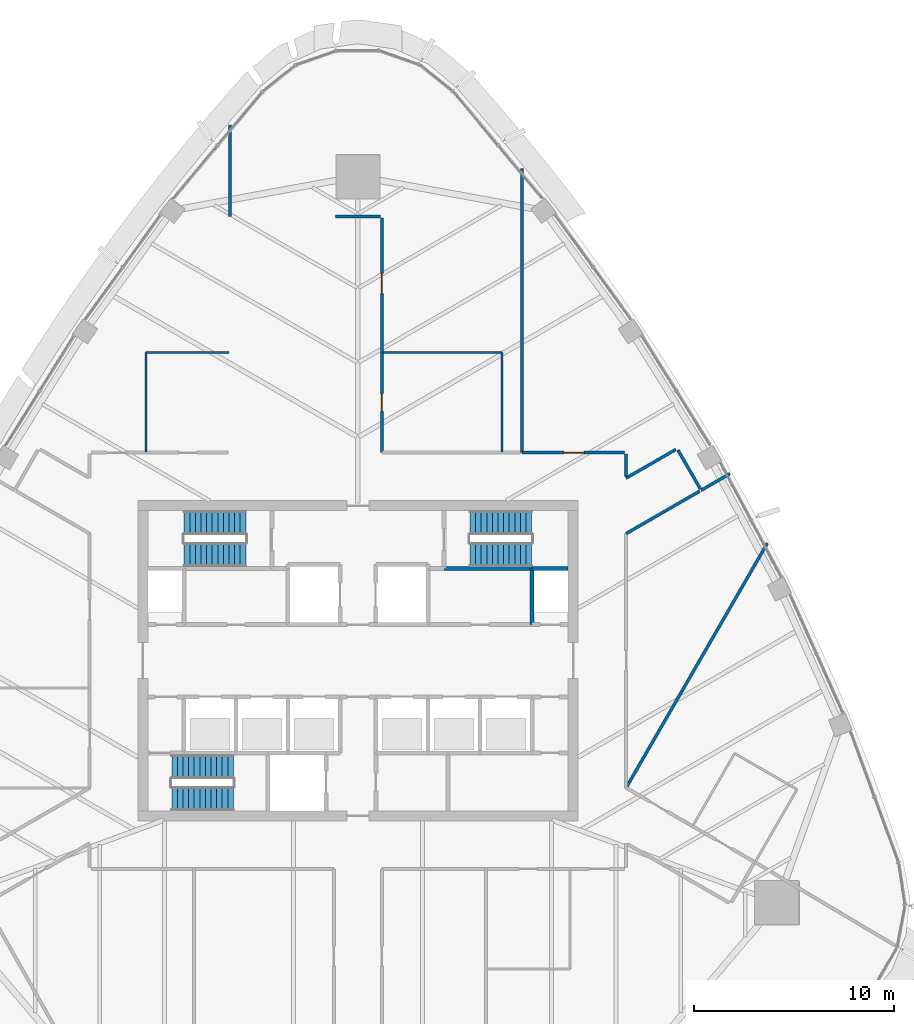
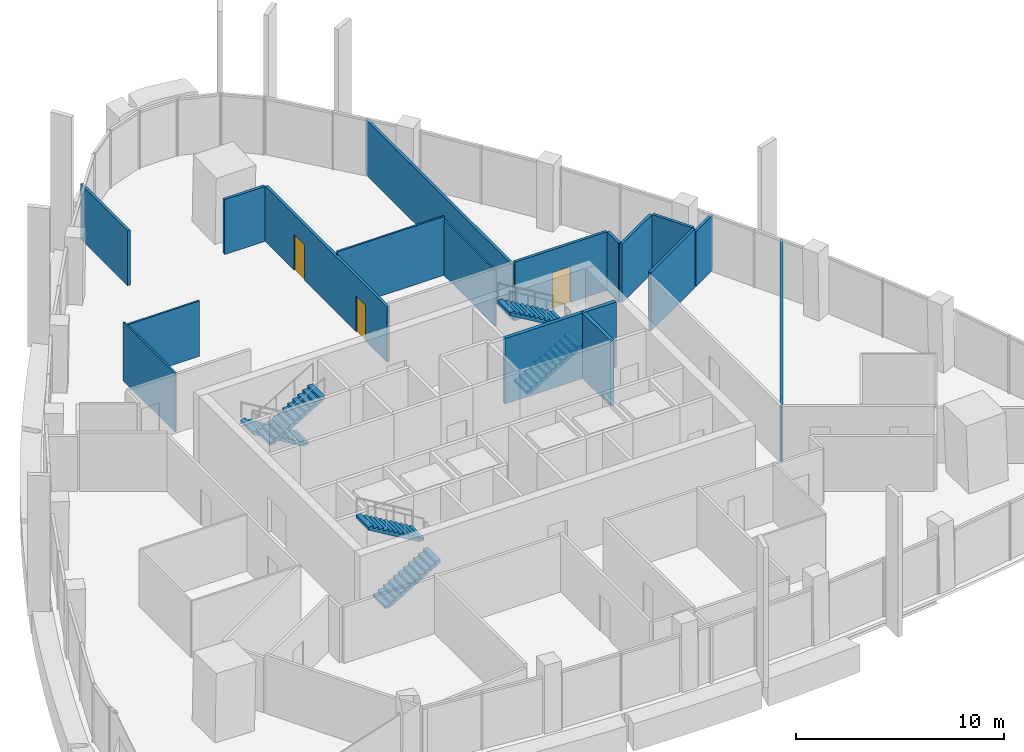
# One storey, part 11 of 18: 18 walls, 6 stair flights, 3 doors, 3 openings, 3 elements without a shape of their own.
"""IFC4 building model written with IfcOpenShell, lengths in metres."""

import ifcopenshell
import ifcopenshell.guid

model = None  # the IFC model being written
_history = None  # IfcOwnerHistory: only IFC2X3 demands one
_inside = {}  # id of a spatial element -> (the spatial element, [elements in it])
_under = {}  # id of a project, library or spatial element -> (it, [spatial elements below it])
_declared = {}  # id of a project -> (the project, [libraries it declares])
_typed = {}  # id of a type object -> (the type object, [elements of that type])
_made_of = {}  # id of a material, layer set ... -> (it, [elements and type objects made of it])


def new_model(schema):
    """Start an empty IFC model of exactly this schema.

    Asked for "IFC4X3", IfcOpenShell would pick the latest addendum, in which some entities
    have other attributes; the version numbers below select the first issue.
    IFC2X3 requires an IfcOwnerHistory on every rooted entity: one is made here for all.
    """
    global model, _history
    if schema == "IFC4X3":
        model = ifcopenshell.file(schema_version=(4, 3, 0, 0))
    else:
        model = ifcopenshell.file(schema=schema)
    _inside.clear()
    _under.clear()
    _declared.clear()
    _typed.clear()
    _made_of.clear()
    _history = None
    if model.schema == "IFC2X3":
        org = make("IfcOrganization", Name="unknown")
        user = make(
            "IfcPersonAndOrganization",
            ThePerson=make("IfcPerson", FamilyName="unknown"),
            TheOrganization=org,
        )
        app = make(
            "IfcApplication",
            ApplicationDeveloper=org,
            Version="unknown",
            ApplicationFullName="unknown",
            ApplicationIdentifier="unknown",
        )
        _history = make(
            "IfcOwnerHistory",
            OwningUser=user,
            OwningApplication=app,
            ChangeAction="ADDED",
            CreationDate=0,
        )
    return model


def make(cls, **values):
    """One entity of the class cls with the attributes given. An attribute that is None is left unset."""
    return model.create_entity(
        cls, **{name: value for name, value in values.items() if value is not None}
    )


def rooted(cls, **values):
    """An entity with a GlobalId (a new one), such as an element, a storey or a relation."""
    return make(cls, GlobalId=ifcopenshell.guid.new(), OwnerHistory=_history, **values)


def si_unit(unit_type, name, prefix=None):
    """IfcSIUnit, for example si_unit("LENGTHUNIT", "METRE", prefix="MILLI")."""
    return make("IfcSIUnit", UnitType=unit_type, Prefix=prefix, Name=name)


def assignment(units):
    """IfcUnitAssignment: the units of a project."""
    return None if units is None else make("IfcUnitAssignment", Units=units)


def point(xyz):
    """IfcCartesianPoint."""
    return None if xyz is None else make("IfcCartesianPoint", Coordinates=xyz)


def direction(xyz):
    """IfcDirection."""
    return None if xyz is None else make("IfcDirection", DirectionRatios=xyz)


def frame(location, z_axis=None, x_axis=None):
    """IfcAxis2Placement3D, a coordinate frame: its origin and axes. An axis left out is left unset."""
    return make(
        "IfcAxis2Placement3D",
        Location=point(location),
        Axis=direction(z_axis),
        RefDirection=direction(x_axis),
    )


def frame_2d(location, x_axis=None):
    """IfcAxis2Placement2D, a coordinate frame in the plane: its origin and x axis."""
    return make(
        "IfcAxis2Placement2D", Location=point(location), RefDirection=direction(x_axis)
    )


def origin():
    """The frame at (0, 0, 0) with its axes left unset."""
    return frame((0.0, 0.0, 0.0))


def place(relative_to, where):
    """IfcLocalPlacement: puts the frame where relative to a parent placement (None: the world)."""
    return make(
        "IfcLocalPlacement", PlacementRelTo=relative_to, RelativePlacement=where
    )


def context(
    kind, dimensions, precision=None, world=None, true_north=None, identifier=None
):
    """IfcGeometricRepresentationContext, for example the 3D "Model" context."""
    return make(
        "IfcGeometricRepresentationContext",
        ContextIdentifier=identifier,
        ContextType=kind,
        CoordinateSpaceDimension=dimensions,
        Precision=precision,
        WorldCoordinateSystem=world,
        TrueNorth=true_north,
    )


def subcontext(parent, identifier, kind, view, scale=None):
    """IfcGeometricRepresentationSubContext, for example "Body" below "Model"."""
    return make(
        "IfcGeometricRepresentationSubContext",
        ContextIdentifier=identifier,
        ContextType=kind,
        ParentContext=parent,
        TargetScale=scale,
        TargetView=view,
    )


def project(units=None, contexts=None):
    """IfcProject with its units and contexts."""
    return rooted(
        "IfcProject",
        Name="project",
        RepresentationContexts=contexts,
        UnitsInContext=assignment(units),
    )


def spatial(cls, under=None, at=None, **own):
    """A site, building, storey or space (cls), placed at a placement, below another one or the project."""
    s = rooted(cls, ObjectPlacement=at, **own)
    if under is not None:
        _under.setdefault(under.id(), (under, []))[1].append(s)
    return s


def polyline(points):
    """IfcPolyline through the points."""
    return make("IfcPolyline", Points=[point(p) for p in points])


def profile(cls, at=None, kind="AREA", **sizes):
    """A parametric profile (cls). Its sizes go by their IFC names, for example OverallWidth=200.0."""
    return make(cls, ProfileType=kind, Position=at, **sizes)


def rectangle(**sizes):
    """IfcRectangleProfileDef."""
    return profile("IfcRectangleProfileDef", **sizes)


def outline(outer, holes=None, kind="AREA"):
    """IfcArbitraryClosedProfileDef: a profile drawn as a closed curve; with holes, ...WithVoids."""
    if holes is None:
        return make("IfcArbitraryClosedProfileDef", ProfileType=kind, OuterCurve=outer)
    return make(
        "IfcArbitraryProfileDefWithVoids",
        ProfileType=kind,
        OuterCurve=outer,
        InnerCurves=holes,
    )


def extrude(swept, where, along, depth):
    """IfcExtrudedAreaSolid: the profile swept, set in the frame where, extruded along a direction by depth."""
    return make(
        "IfcExtrudedAreaSolid",
        SweptArea=swept,
        Position=where,
        ExtrudedDirection=direction(along),
        Depth=depth,
    )


def shape(context_of_items, identifier, shape_type, items):
    """IfcShapeRepresentation: the items that make up one representation, for example the "Body"."""
    return make(
        "IfcShapeRepresentation",
        ContextOfItems=context_of_items,
        RepresentationIdentifier=identifier,
        RepresentationType=shape_type,
        Items=items,
    )


def material(Name=None, Category=None):
    """IfcMaterial."""
    return make("IfcMaterial", Name=Name, Category=Category)


def layer(
    of_material, thickness, ventilated=None, Name=None, Category=None, Priority=None
):
    """IfcMaterialLayer: one layer of a wall or slab, of a material (None: an air gap)."""
    return make(
        "IfcMaterialLayer",
        Material=of_material,
        LayerThickness=thickness,
        IsVentilated=ventilated,
        Name=Name,
        Category=Category,
        Priority=Priority,
    )


def layer_set(layers, Name=None):
    """IfcMaterialLayerSet."""
    return make("IfcMaterialLayerSet", MaterialLayers=layers, LayerSetName=Name)


def made_of(thing, what):
    """Note that an element or type object is made of a material, layer set ...; save() writes the relation."""
    if what is not None:
        _made_of.setdefault(what.id(), (what, []))[1].append(thing)
    return thing


def type_object(cls, material=None, **own):
    """A type object (cls), such as IfcWallType, which elements share."""
    return made_of(rooted(cls, **own), material)


def element(
    cls,
    number,
    at=None,
    inside=None,
    cuts=None,
    type_object=None,
    material=None,
    context=None,
    identifier="Body",
    shape_type=None,
    held_by="IfcProductDefinitionShape",
    body=None,
    shapes=None,
    **own,
):
    """One element of the class cls, such as IfcWall. Its Tag is "e" and its number.

    at: its placement. inside: the storey or other place that contains it. cuts: it is an
    opening in that element (IfcRelVoidsElement). A single representation is given by context,
    identifier, shape_type and body (its items); several are given by shapes. held_by: the class
    of the entity that holds the representations. save() writes the other relations.
    """
    e = rooted(cls, Tag="e%d" % number, ObjectPlacement=at, **own)
    if body is not None:
        shapes = [shape(context, identifier, shape_type, body)]
    if shapes is not None:
        e.Representation = make(held_by, Representations=shapes)
    if inside is not None:
        _inside.setdefault(inside.id(), (inside, []))[1].append(e)
    if cuts is not None:
        rooted(
            "IfcRelVoidsElement", RelatingBuildingElement=cuts, RelatedOpeningElement=e
        )
    if type_object is not None:
        _typed.setdefault(type_object.id(), (type_object, []))[1].append(e)
    return made_of(e, material)


def fill(opening, filler):
    """IfcRelFillsElement: the door or window that sits in an opening."""
    return rooted(
        "IfcRelFillsElement",
        RelatingOpeningElement=opening,
        RelatedBuildingElement=filler,
    )


def aggregate(whole, parts):
    """IfcRelAggregates: a whole, such as a stair, and the parts it consists of."""
    return rooted("IfcRelAggregates", RelatingObject=whole, RelatedObjects=parts)


def save(model, path):
    """Write the relations noted so far, then the file.

    IfcRelAggregates (storeys below a building ...), IfcRelContainedInSpatialStructure (elements
    in a storey), IfcRelDefinesByType, IfcRelAssociatesMaterial and IfcRelDeclares: one each for
    every whole, place, type object, material and project.
    """
    for whole, parts in _under.values():
        aggregate(whole, parts)
    for where, things in _inside.values():
        rooted(
            "IfcRelContainedInSpatialStructure",
            RelatedElements=things,
            RelatingStructure=where,
        )
    for kind, things in _typed.values():
        rooted("IfcRelDefinesByType", RelatedObjects=things, RelatingType=kind)
    for what, things in _made_of.values():
        rooted("IfcRelAssociatesMaterial", RelatedObjects=things, RelatingMaterial=what)
    for by, libraries in _declared.values():
        rooted("IfcRelDeclares", RelatingContext=by, RelatedDefinitions=libraries)
    model.write(path)


model = new_model("IFC4")

# Units and contexts
model_context = context("Model", 3, precision=1e-05, world=origin(), true_north=direction((0.0, 1.0)))
body_context = subcontext(model_context, "Body", "Model", "MODEL_VIEW")
ifc_project = project(units=[si_unit("LENGTHUNIT", "METRE"), si_unit("AREAUNIT", "SQUARE_METRE"), si_unit("VOLUMEUNIT", "CUBIC_METRE"), si_unit("PLANEANGLEUNIT", "RADIAN"), si_unit("MASSUNIT", "GRAM", prefix="KILO")], contexts=[model_context])

# Site, building, storey
site_placement = place(None, origin())
site = spatial("IfcSite", under=ifc_project, at=site_placement, CompositionType="ELEMENT")
building_placement = place(site_placement, origin())
building = spatial("IfcBuilding", under=site, at=building_placement, Name="Sierra Prisma Convention Tower", CompositionType="ELEMENT")
storey_placement = place(building_placement, frame((0.0, 0.0, 279.0)))
storey = spatial("IfcBuildingStorey", under=building, at=storey_placement, Name="L63", CompositionType="ELEMENT", Elevation=279.0)

# Walls
ifc_material_1 = material(Name="Gypsum board partition", Category="gypsum")
ifc_layer_1 = layer(ifc_material_1, 0.10009765625)
ifc_layer_set_1 = layer_set([ifc_layer_1], Name="Bathroom partition 100")
wall_type_1 = type_object("IfcWallType", Name="Bathroom partition 100", PredefinedType="PARTITIONING", material=ifc_layer_set_1)
wall_1_placement = place(storey_placement, frame((-10.60009765625, 10.429931640625, 0.0), z_axis=(0.0, 0.0, 1.0), x_axis=(0.0, 1.0, 0.0)))
element("IfcWall", 1, at=wall_1_placement, inside=storey, type_object=wall_type_1, Name="Partition L63 bath 4", PredefinedType="PARTITIONING", context=body_context, shape_type="SweptSolid", body=[
    extrude(rectangle(XDim=4.969970703125, YDim=0.10009765625, at=frame_2d((2.48486328125, 0.0))), origin(), (0.0, 0.0, 1.0), 3.449951171875),
])
wall_2_placement = place(storey_placement, frame((-10.60009765625, 15.39990234375, 0.0), z_axis=(0.0, 0.0, 1.0), x_axis=(1.0, 0.0, 0.0)))
element("IfcWall", 2, at=wall_2_placement, inside=storey, type_object=wall_type_1, Name="Partition L63 bath 5", PredefinedType="PARTITIONING", context=body_context, shape_type="SweptSolid", body=[
    extrude(rectangle(XDim=4.170166015625, YDim=0.10009765625, at=frame_2d((2.0849609375, 0.0))), origin(), (0.0, 0.0, 1.0), 3.2470703125),
])
wall_3_placement = place(storey_placement, frame((1.22998046875, 15.39990234375, 0.0), z_axis=(0.0, 0.0, 1.0), x_axis=(1.0, 0.0, 0.0)))
element("IfcWall", 3, at=wall_3_placement, inside=storey, type_object=wall_type_1, Name="Partition L63 bath 6", PredefinedType="PARTITIONING", context=body_context, shape_type="SweptSolid", body=[
    extrude(rectangle(XDim=5.969970703125, YDim=0.10009765625, at=frame_2d((2.98486328125, 0.0))), origin(), (0.0, 0.0, 1.0), 3.449951171875),
])
wall_4_placement = place(storey_placement, frame((7.199951171875, 15.39990234375, 0.0), z_axis=(0.0, 0.0, 1.0), x_axis=(0.0, -1.0, 0.0)))
element("IfcWall", 4, at=wall_4_placement, inside=storey, type_object=wall_type_1, Name="Partition L63 bath 7", PredefinedType="PARTITIONING", context=body_context, shape_type="SweptSolid", body=[
    extrude(rectangle(XDim=4.969970703125, YDim=0.10009765625, at=frame_2d((2.48486328125, 0.0))), origin(), (0.0, 0.0, 1.0), 3.2470703125),
])
ifc_material_2 = material(Name="Concrete C30/37", Category="concrete")
ifc_layer_2 = layer(ifc_material_2, 0.199951171875)
ifc_layer_set_2 = layer_set([ifc_layer_2], Name="Core wall RC 200 C30/37")
wall_type_2 = type_object("IfcWallType", Name="Core wall RC 200 C30/37", PredefinedType="SOLIDWALL", material=ifc_layer_set_2)
wall_5_placement = place(storey_placement, frame((8.699951171875, 4.60009765625, 0.0), z_axis=(0.0, 0.0, 1.0), x_axis=(-1.0, 0.0, 0.0)))
element("IfcWall", 5, at=wall_5_placement, inside=storey, type_object=wall_type_2, Name="Core wall L63 45", PredefinedType="SOLIDWALL", context=body_context, shape_type="SweptSolid", body=[
    extrude(rectangle(XDim=4.39990234375, YDim=0.199951171875, at=frame_2d((2.199951171875, 0.0))), origin(), (0.0, 0.0, 1.0), 3.85009765625),
])
wall_6_placement = place(storey_placement, frame((8.699951171875, 1.800048828125, 0.0), z_axis=(0.0, 0.0, 1.0), x_axis=(0.0, 1.0, 0.0)))
element("IfcWall", 6, at=wall_6_placement, inside=storey, type_object=wall_type_2, Name="Core wall L63 56", PredefinedType="SOLIDWALL", context=body_context, shape_type="SweptSolid", body=[
    extrude(rectangle(XDim=2.800048828125, YDim=0.199951171875, at=frame_2d((1.39990234375, 0.0))), origin(), (0.0, 0.0, 1.0), 3.85009765625),
])
wall_7_placement = place(storey_placement, frame((10.5, 4.60009765625, 0.0), z_axis=(0.0, 0.0, 1.0), x_axis=(-1.0, 0.0, 0.0)))
element("IfcWall", 7, at=wall_7_placement, inside=storey, type_object=wall_type_2, Name="Core wall L63 57", PredefinedType="SOLIDWALL", context=body_context, shape_type="SweptSolid", body=[
    extrude(rectangle(XDim=1.800048828125, YDim=0.199951171875, at=frame_2d((0.89990234375, 0.0))), origin(), (0.0, 0.0, 1.0), 3.85009765625),
])
ifc_material_3 = material(Name="Gypsum board partition", Category="gypsum")
ifc_layer_3 = layer(ifc_material_3, 0.14990234375)
ifc_layer_set_3 = layer_set([ifc_layer_3], Name="Corridor wall 150 gypsum EI 60")
wall_type_3 = type_object("IfcWallType", Name="Corridor wall 150 gypsum EI 60", PredefinedType="PARTITIONING", material=ifc_layer_set_3)
wall_8_placement = place(storey_placement, frame((1.1201171875, 22.197265625, 0.0), z_axis=(0.0, 0.0, 1.0), x_axis=(-1.0, 0.0, 0.0)))
element("IfcWall", 8, at=wall_8_placement, inside=storey, type_object=wall_type_3, Name="Partition L63 corr 14", PredefinedType="PARTITIONING", context=body_context, shape_type="SweptSolid", body=[
    extrude(rectangle(XDim=2.240234375, YDim=0.14990234375, at=frame_2d((1.1201171875, 0.0))), origin(), (0.0, 0.0, 1.0), 3.23291015625),
])

# Wall, openings, doors
wall_9_placement = place(storey_placement, frame((1.199951171875, 10.39990234375, 0.0), z_axis=(0.0, 0.0, 1.0), x_axis=(0.0, 1.0, 0.0)))
wall_9 = element("IfcWall", 9, at=wall_9_placement, inside=storey, type_object=wall_type_3, Name="Partition L63 corr 18", PredefinedType="PARTITIONING", context=body_context, shape_type="SweptSolid", body=[
    extrude(rectangle(XDim=11.71728515625, YDim=0.14990234375, at=frame_2d((5.858642578125, 0.0))), origin(), (0.0, 0.0, 1.0), 3.2470703125),
])
opening_1_placement = place(wall_9_placement, frame((2.050048828125, 0.0, 0.0)))
opening_1 = element("IfcOpeningElement", 10, at=opening_1_placement, cuts=wall_9, Name="Opening L63-D025", PredefinedType="OPENING", context=body_context, shape_type="SweptSolid", body=[
    extrude(rectangle(XDim=0.89990234375, YDim=2.10009765625, at=frame_2d((0.449951171875, 1.050048828125))), frame((0.0, 0.074951171875, 0.0), z_axis=(0.0, -1.0, 0.0), x_axis=(1.0, 0.0, 0.0)), (0.0, 0.0, 1.0), 0.14990234375),
])
opening_2_placement = place(wall_9_placement, frame((7.948486328125, 0.0, 0.0)))
opening_2 = element("IfcOpeningElement", 11, at=opening_2_placement, cuts=wall_9, Name="Opening L63-D026", PredefinedType="OPENING", context=body_context, shape_type="SweptSolid", body=[
    extrude(rectangle(XDim=1.0, YDim=2.10009765625, at=frame_2d((0.5, 1.050048828125))), frame((0.0, 0.074951171875, 0.0), z_axis=(0.0, -1.0, 0.0), x_axis=(1.0, 0.0, 0.0)), (0.0, 0.0, 1.0), 0.14990234375),
])
ifc_material_4 = material(Name="Steel fire door leaf", Category="steel")
door_type_1 = type_object("IfcDoorType", Name="Door 1000x2100 FD30S", OperationType="SINGLE_SWING_LEFT", PredefinedType="DOOR", material=ifc_material_4)
door_1_placement = place(opening_2_placement, origin())
door_1 = element("IfcDoor", 12, at=door_1_placement, inside=storey, type_object=door_type_1, Name="Door L63 4", OperationType="SINGLE_SWING_LEFT", OverallHeight=2.10009765625, OverallWidth=1.0, PredefinedType="DOOR", context=body_context, shape_type="SweptSolid", body=[
    extrude(rectangle(XDim=1.0, YDim=2.10009765625, at=frame_2d((0.5, 1.050048828125))), frame((0.0, 0.02490234375, 0.0), z_axis=(0.0, -1.0, 0.0), x_axis=(1.0, 0.0, 0.0)), (0.0, 0.0, 1.0), 0.050048828125),
])
fill(opening_2, door_1)
ifc_material_5 = material(Name="Steel fire door leaf", Category="steel")
door_type_2 = type_object("IfcDoorType", Name="Door 900x2100 FD30S", OperationType="SINGLE_SWING_LEFT", PredefinedType="DOOR", material=ifc_material_5)
door_2_placement = place(opening_1_placement, origin())
door_2 = element("IfcDoor", 13, at=door_2_placement, inside=storey, type_object=door_type_2, Name="Door L63 3", OperationType="SINGLE_SWING_LEFT", OverallHeight=2.10009765625, OverallWidth=0.89990234375, PredefinedType="DOOR", context=body_context, shape_type="SweptSolid", body=[
    extrude(rectangle(XDim=0.89990234375, YDim=2.10009765625, at=frame_2d((0.449951171875, 1.050048828125))), frame((0.0, 0.02490234375, 0.0), z_axis=(0.0, -1.0, 0.0), x_axis=(1.0, 0.0, 0.0)), (0.0, 0.0, 1.0), 0.050048828125),
])
fill(opening_1, door_2)

# Wall, opening, door
wall_10_placement = place(storey_placement, frame((13.320068359375, 10.39990234375, 0.0), z_axis=(0.0, 0.0, 1.0), x_axis=(-1.0, 0.0, 0.0)))
wall_10 = element("IfcWall", 14, at=wall_10_placement, inside=storey, type_object=wall_type_3, Name="Partition L63 corr 19", PredefinedType="PARTITIONING", context=body_context, shape_type="SweptSolid", body=[
    extrude(rectangle(XDim=5.1201171875, YDim=0.14990234375, at=frame_2d((2.56005859375, 0.0))), origin(), (0.0, 0.0, 1.0), 3.443115234375),
])
opening_3_placement = place(wall_10_placement, frame((2.02001953125, 0.0, 0.0)))
opening_3 = element("IfcOpeningElement", 15, at=opening_3_placement, cuts=wall_10, Name="Opening L63-D024", PredefinedType="OPENING", context=body_context, shape_type="SweptSolid", body=[
    extrude(rectangle(XDim=1.0, YDim=2.10009765625, at=frame_2d((0.5, 1.050048828125))), frame((0.0, 0.074951171875, 0.0), z_axis=(0.0, -1.0, 0.0), x_axis=(1.0, 0.0, 0.0)), (0.0, 0.0, 1.0), 0.14990234375),
])
door_3_placement = place(opening_3_placement, origin())
door_3 = element("IfcDoor", 16, at=door_3_placement, inside=storey, type_object=door_type_1, Name="Door L63 2", OperationType="SINGLE_SWING_LEFT", OverallHeight=2.10009765625, OverallWidth=1.0, PredefinedType="DOOR", context=body_context, shape_type="SweptSolid", body=[
    extrude(rectangle(XDim=1.0, YDim=2.10009765625, at=frame_2d((0.5, 1.050048828125))), frame((0.0, 0.02490234375, 0.0), z_axis=(0.0, -1.0, 0.0), x_axis=(1.0, 0.0, 0.0)), (0.0, 0.0, 1.0), 0.050048828125),
])
fill(opening_3, door_3)

# Walls
wall_11_placement = place(storey_placement, frame((13.39990234375, 6.350830078125, 0.0), z_axis=(0.0, 0.0, 1.0), x_axis=(0.866039217307, 0.499976073514, 0.0)))
element("IfcWall", 17, at=wall_11_placement, inside=storey, type_object=wall_type_3, Name="Partition L63 corr 23", PredefinedType="PARTITIONING", context=body_context, shape_type="SweptSolid", body=[
    extrude(rectangle(XDim=4.249755859375, YDim=0.14990234375, at=frame_2d((2.125, 0.0))), origin(), (0.0, 0.0, 1.0), 3.449951171875),
])
wall_12_placement = place(storey_placement, frame((15.88037109375, 10.55419921875, 0.0), z_axis=(0.0, 0.0, 1.0), x_axis=(-0.866020927947, -0.500007752297, 0.0)))
element("IfcWall", 18, at=wall_12_placement, inside=storey, type_object=wall_type_3, Name="Partition L63 corr 25", PredefinedType="PARTITIONING", context=body_context, shape_type="SweptSolid", body=[
    extrude(rectangle(XDim=2.8642578125, YDim=0.14990234375, at=frame_2d((1.43212890625, 0.0))), origin(), (0.0, 0.0, 1.0), 3.449951171875),
])
wall_13_placement = place(storey_placement, frame((13.39990234375, 9.213623046875, 0.0), z_axis=(0.0, 0.0, 1.0), x_axis=(0.0, 1.0, 0.0)))
element("IfcWall", 19, at=wall_13_placement, inside=storey, type_object=wall_type_3, Name="Partition L63 corr 26", PredefinedType="PARTITIONING", context=body_context, shape_type="SweptSolid", body=[
    extrude(rectangle(XDim=1.1064453125, YDim=0.14990234375, at=frame_2d((0.55322265625, 0.0))), origin(), (0.0, 0.0, 1.0), 3.449951171875),
])
wall_14_placement = place(storey_placement, frame((17.109619140625, 8.5849609375, 0.0), z_axis=(0.0, 0.0, 1.0), x_axis=(-0.49994888933, 0.866054910533, 0.0)))
element("IfcWall", 20, at=wall_14_placement, inside=storey, type_object=wall_type_3, Name="Partition L63 corr 27", PredefinedType="PARTITIONING", context=body_context, shape_type="SweptSolid", body=[
    extrude(rectangle(XDim=2.239990234375, YDim=0.14990234375, at=frame_2d((1.1201171875, 0.0))), origin(), (0.0, 0.0, 1.0), 3.449951171875),
])
ifc_material_6 = material(Name="Gypsum board partition", Category="gypsum")
ifc_layer_4 = layer(ifc_material_6, 0.14990234375)
ifc_layer_set_4 = layer_set([ifc_layer_4], Name="Party wall 150 gypsum")
wall_type_4 = type_object("IfcWallType", Name="Party wall 150 gypsum", PredefinedType="PARTITIONING", material=ifc_layer_set_4)
wall_15_placement = place(storey_placement, frame((-6.39990234375, 22.197265625, 0.0), z_axis=(0.0, 0.0, 1.0), x_axis=(0.0, 1.0, 0.0)))
element("IfcWall", 21, at=wall_15_placement, inside=storey, type_object=wall_type_4, Name="Partition L63 party 6", PredefinedType="PARTITIONING", context=body_context, shape_type="SweptSolid", body=[
    extrude(rectangle(XDim=4.56494140625, YDim=0.14990234375, at=frame_2d((2.282470703125, 0.0))), origin(), (0.0, 0.0, 1.0), 3.23388671875),
])
wall_16_placement = place(storey_placement, frame((8.199951171875, 10.39990234375, 0.0), z_axis=(0.0, 0.0, 1.0), x_axis=(0.0, 1.0, 0.0)))
element("IfcWall", 22, at=wall_16_placement, inside=storey, type_object=wall_type_4, Name="Partition L63 party 10", PredefinedType="PARTITIONING", context=body_context, shape_type="SweptSolid", body=[
    extrude(rectangle(XDim=14.202392578125, YDim=0.14990234375, at=frame_2d((7.10107421875, 0.0))), origin(), (0.0, 0.0, 1.0), 3.23388671875),
])
wall_17_placement = place(storey_placement, frame((20.4560546875, 5.87060546875, 0.0), z_axis=(0.0, 0.0, 1.0), x_axis=(-0.500005486798, -0.866022235957, 0.0)))
element("IfcWall", 23, at=wall_17_placement, inside=storey, type_object=wall_type_4, Name="Partition L63 party 11", PredefinedType="PARTITIONING", context=body_context, shape_type="SweptSolid", body=[
    extrude(rectangle(XDim=14.112060546875, YDim=0.14990234375, at=frame_2d((7.05615234375, 0.0))), origin(), (0.0, 0.0, 1.0), 3.23388671875),
])
wall_18_placement = place(storey_placement, frame((17.149658203125, 8.515625, 0.0), z_axis=(0.0, 0.0, 1.0), x_axis=(0.865984256307, 0.50007126275, 0.0)))
element("IfcWall", 24, at=wall_18_placement, inside=storey, type_object=wall_type_4, Name="Partition L63 party 12", PredefinedType="PARTITIONING", context=body_context, shape_type="SweptSolid", body=[
    extrude(rectangle(XDim=1.656005859375, YDim=0.14990234375, at=frame_2d((0.828125, 0.0))), origin(), (0.0, 0.0, 1.0), 3.23388671875),
])

# Stair, stair flights
ifc_material_7 = material(Name="Concrete C30/37", Category="concrete")
stair_type = type_object("IfcStairType", Name="Stair dog-leg 1200 RC", PredefinedType="HALF_TURN_STAIR", material=ifc_material_7)
stair_1_placement = place(storey_placement, origin())
stair_1 = element("IfcStair", 25, at=stair_1_placement, inside=storey, type_object=stair_type, Name="L63 S1", PredefinedType="HALF_TURN_STAIR")
ifc_material_8 = material(Name="Concrete C30/37", Category="concrete")
stair_flight_type = type_object("IfcStairFlightType", Name="Stair flight RC 1200", PredefinedType="STRAIGHT", material=ifc_material_8)
stair_flight_1_placement = place(storey_placement, frame((-9.300048828125, -6.89990234375, 0.0), z_axis=(0.0, 0.0, 1.0), x_axis=(1.0, 0.0, 0.0)))
stair_flight_1 = element("IfcStairFlight", 26, at=stair_flight_1_placement, type_object=stair_flight_type, Name="S1 flight 1", NumberOfRisers=12, NumberOfTreads=11, PredefinedType="STRAIGHT", RiserHeight=0.166666667, TreadLength=0.28, context=body_context, shape_type="SweptSolid", body=[
    extrude(outline(polyline([(0.0, 0.0), (0.0, 0.166748046875), (0.280029296875, 0.166748046875), (0.280029296875, 0.333251953125), (0.56005859375, 0.333251953125), (0.56005859375, 0.5), (0.840087890625, 0.5), (0.840087890625, 0.666748046875), (1.1201171875, 0.666748046875), (1.1201171875, 0.833251953125), (1.39990234375, 0.833251953125), (1.39990234375, 1.0), (1.679931640625, 1.0), (1.679931640625, 1.166748046875), (1.9599609375, 1.166748046875), (1.9599609375, 1.333251953125), (2.239990234375, 1.333251953125), (2.239990234375, 1.5), (2.52001953125, 1.5), (2.52001953125, 1.666748046875), (2.800048828125, 1.666748046875), (2.800048828125, 1.833251953125), (3.080078125, 1.833251953125), (3.080078125, 2.0), (3.080078125, 1.658935546875), (0.29296875, 0.0), (0.0, 0.0)])), frame((0.0, 0.60009765625, 0.0), z_axis=(0.0, -1.0, 0.0), x_axis=(1.0, 0.0, 0.0)), (0.0, 0.0, 1.0), 1.199951171875),
])
stair_flight_2_placement = place(storey_placement, frame((-6.219970703125, -5.300048828125, 2.0), z_axis=(0.0, 0.0, 1.0), x_axis=(-1.0, 0.0, 0.0)))
stair_flight_2 = element("IfcStairFlight", 27, at=stair_flight_2_placement, type_object=stair_flight_type, Name="S1 flight 2", NumberOfRisers=12, NumberOfTreads=11, PredefinedType="STRAIGHT", RiserHeight=0.166666667, TreadLength=0.28, context=body_context, shape_type="SweptSolid", body=[
    extrude(outline(polyline([(0.0, 0.0), (0.0, 0.166748046875), (0.280029296875, 0.166748046875), (0.280029296875, 0.333251953125), (0.56005859375, 0.333251953125), (0.56005859375, 0.5), (0.840087890625, 0.5), (0.840087890625, 0.666748046875), (1.1201171875, 0.666748046875), (1.1201171875, 0.833251953125), (1.39990234375, 0.833251953125), (1.39990234375, 1.0), (1.679931640625, 1.0), (1.679931640625, 1.166748046875), (1.9599609375, 1.166748046875), (1.9599609375, 1.333251953125), (2.239990234375, 1.333251953125), (2.239990234375, 1.5), (2.52001953125, 1.5), (2.52001953125, 1.666748046875), (2.800048828125, 1.666748046875), (2.800048828125, 1.833251953125), (3.080078125, 1.833251953125), (3.080078125, 2.0), (3.080078125, 1.658935546875), (0.29296875, 0.0), (0.0, 0.0)])), frame((0.0, 0.60009765625, 0.0), z_axis=(0.0, -1.0, 0.0), x_axis=(1.0, 0.0, 0.0)), (0.0, 0.0, 1.0), 1.199951171875),
])
aggregate(stair_1, [stair_flight_1, stair_flight_2])

stair_2_placement = place(storey_placement, origin())
stair_2 = element("IfcStair", 28, at=stair_2_placement, inside=storey, type_object=stair_type, Name="L63 S3", PredefinedType="HALF_TURN_STAIR")
stair_flight_3_placement = place(storey_placement, frame((-5.60009765625, 6.89990234375, 0.0), z_axis=(0.0, 0.0, 1.0), x_axis=(-1.0, 0.0, 0.0)))
stair_flight_3 = element("IfcStairFlight", 29, at=stair_flight_3_placement, type_object=stair_flight_type, Name="S3 flight 1", NumberOfRisers=12, NumberOfTreads=11, PredefinedType="STRAIGHT", RiserHeight=0.166666667, TreadLength=0.28, context=body_context, shape_type="SweptSolid", body=[
    extrude(outline(polyline([(0.0, 0.0), (0.0, 0.166748046875), (0.280029296875, 0.166748046875), (0.280029296875, 0.333251953125), (0.56005859375, 0.333251953125), (0.56005859375, 0.5), (0.840087890625, 0.5), (0.840087890625, 0.666748046875), (1.1201171875, 0.666748046875), (1.1201171875, 0.833251953125), (1.39990234375, 0.833251953125), (1.39990234375, 1.0), (1.679931640625, 1.0), (1.679931640625, 1.166748046875), (1.9599609375, 1.166748046875), (1.9599609375, 1.333251953125), (2.239990234375, 1.333251953125), (2.239990234375, 1.5), (2.52001953125, 1.5), (2.52001953125, 1.666748046875), (2.800048828125, 1.666748046875), (2.800048828125, 1.833251953125), (3.080078125, 1.833251953125), (3.080078125, 2.0), (3.080078125, 1.658935546875), (0.29296875, 0.0), (0.0, 0.0)])), frame((0.0, 0.60009765625, 0.0), z_axis=(0.0, -1.0, 0.0), x_axis=(1.0, 0.0, 0.0)), (0.0, 0.0, 1.0), 1.199951171875),
])
stair_flight_4_placement = place(storey_placement, frame((-8.679931640625, 5.300048828125, 2.0), z_axis=(0.0, 0.0, 1.0), x_axis=(1.0, 0.0, 0.0)))
stair_flight_4 = element("IfcStairFlight", 30, at=stair_flight_4_placement, type_object=stair_flight_type, Name="S3 flight 2", NumberOfRisers=12, NumberOfTreads=11, PredefinedType="STRAIGHT", RiserHeight=0.166666667, TreadLength=0.28, context=body_context, shape_type="SweptSolid", body=[
    extrude(outline(polyline([(0.0, 0.0), (0.0, 0.166748046875), (0.280029296875, 0.166748046875), (0.280029296875, 0.333251953125), (0.56005859375, 0.333251953125), (0.56005859375, 0.5), (0.840087890625, 0.5), (0.840087890625, 0.666748046875), (1.1201171875, 0.666748046875), (1.1201171875, 0.833251953125), (1.39990234375, 0.833251953125), (1.39990234375, 1.0), (1.679931640625, 1.0), (1.679931640625, 1.166748046875), (1.9599609375, 1.166748046875), (1.9599609375, 1.333251953125), (2.239990234375, 1.333251953125), (2.239990234375, 1.5), (2.52001953125, 1.5), (2.52001953125, 1.666748046875), (2.800048828125, 1.666748046875), (2.800048828125, 1.833251953125), (3.080078125, 1.833251953125), (3.080078125, 2.0), (3.080078125, 1.658935546875), (0.29296875, 0.0), (0.0, 0.0)])), frame((0.0, 0.60009765625, 0.0), z_axis=(0.0, -1.0, 0.0), x_axis=(1.0, 0.0, 0.0)), (0.0, 0.0, 1.0), 1.199951171875),
])
aggregate(stair_2, [stair_flight_3, stair_flight_4])

stair_3_placement = place(storey_placement, origin())
stair_3 = element("IfcStair", 31, at=stair_3_placement, inside=storey, type_object=stair_type, Name="L63 S4", PredefinedType="HALF_TURN_STAIR")
stair_flight_5_placement = place(storey_placement, frame((5.60009765625, 5.300048828125, 0.0), z_axis=(0.0, 0.0, 1.0), x_axis=(1.0, 0.0, 0.0)))
stair_flight_5 = element("IfcStairFlight", 32, at=stair_flight_5_placement, type_object=stair_flight_type, Name="S4 flight 1", NumberOfRisers=12, NumberOfTreads=11, PredefinedType="STRAIGHT", RiserHeight=0.166666667, TreadLength=0.28, context=body_context, shape_type="SweptSolid", body=[
    extrude(outline(polyline([(0.0, 0.0), (0.0, 0.166748046875), (0.280029296875, 0.166748046875), (0.280029296875, 0.333251953125), (0.56005859375, 0.333251953125), (0.56005859375, 0.5), (0.840087890625, 0.5), (0.840087890625, 0.666748046875), (1.1201171875, 0.666748046875), (1.1201171875, 0.833251953125), (1.39990234375, 0.833251953125), (1.39990234375, 1.0), (1.679931640625, 1.0), (1.679931640625, 1.166748046875), (1.9599609375, 1.166748046875), (1.9599609375, 1.333251953125), (2.239990234375, 1.333251953125), (2.239990234375, 1.5), (2.52001953125, 1.5), (2.52001953125, 1.666748046875), (2.800048828125, 1.666748046875), (2.800048828125, 1.833251953125), (3.080078125, 1.833251953125), (3.080078125, 2.0), (3.080078125, 1.658935546875), (0.29296875, 0.0), (0.0, 0.0)])), frame((0.0, 0.60009765625, 0.0), z_axis=(0.0, -1.0, 0.0), x_axis=(1.0, 0.0, 0.0)), (0.0, 0.0, 1.0), 1.199951171875),
])
stair_flight_6_placement = place(storey_placement, frame((8.679931640625, 6.89990234375, 2.0), z_axis=(0.0, 0.0, 1.0), x_axis=(-1.0, 0.0, 0.0)))
stair_flight_6 = element("IfcStairFlight", 33, at=stair_flight_6_placement, type_object=stair_flight_type, Name="S4 flight 2", NumberOfRisers=12, NumberOfTreads=11, PredefinedType="STRAIGHT", RiserHeight=0.166666667, TreadLength=0.28, context=body_context, shape_type="SweptSolid", body=[
    extrude(outline(polyline([(0.0, 0.0), (0.0, 0.166748046875), (0.280029296875, 0.166748046875), (0.280029296875, 0.333251953125), (0.56005859375, 0.333251953125), (0.56005859375, 0.5), (0.840087890625, 0.5), (0.840087890625, 0.666748046875), (1.1201171875, 0.666748046875), (1.1201171875, 0.833251953125), (1.39990234375, 0.833251953125), (1.39990234375, 1.0), (1.679931640625, 1.0), (1.679931640625, 1.166748046875), (1.9599609375, 1.166748046875), (1.9599609375, 1.333251953125), (2.239990234375, 1.333251953125), (2.239990234375, 1.5), (2.52001953125, 1.5), (2.52001953125, 1.666748046875), (2.800048828125, 1.666748046875), (2.800048828125, 1.833251953125), (3.080078125, 1.833251953125), (3.080078125, 2.0), (3.080078125, 1.658935546875), (0.29296875, 0.0), (0.0, 0.0)])), frame((0.0, 0.60009765625, 0.0), z_axis=(0.0, -1.0, 0.0), x_axis=(1.0, 0.0, 0.0)), (0.0, 0.0, 1.0), 1.199951171875),
])
aggregate(stair_3, [stair_flight_5, stair_flight_6])

save(model, "model.ifc")
